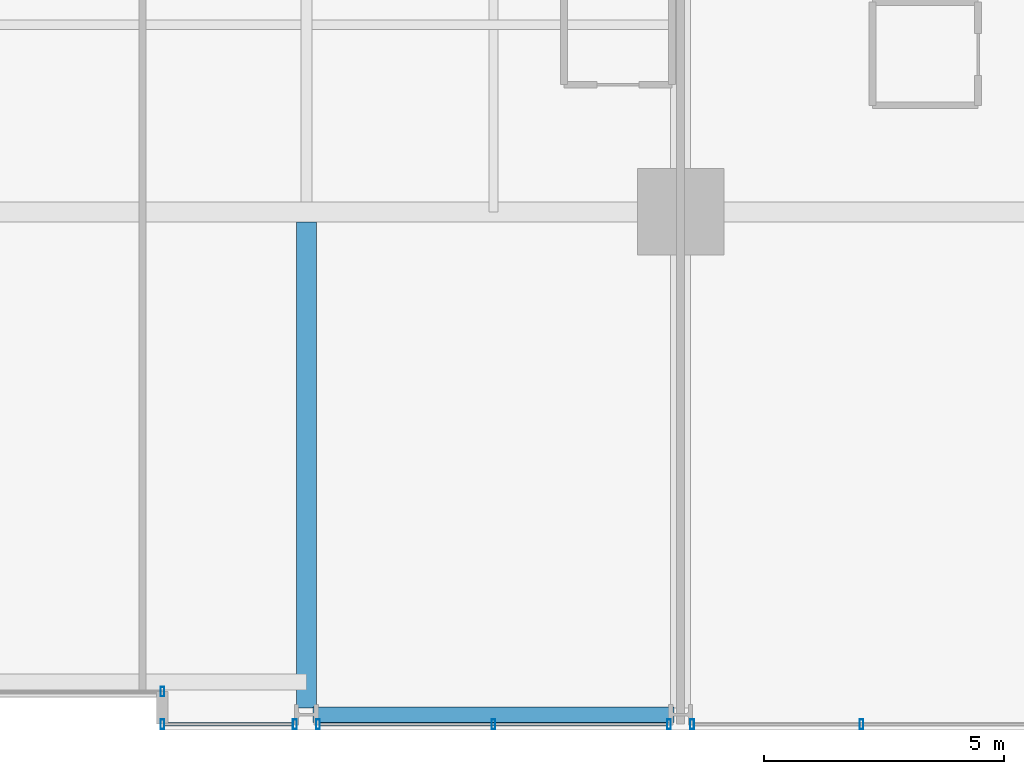
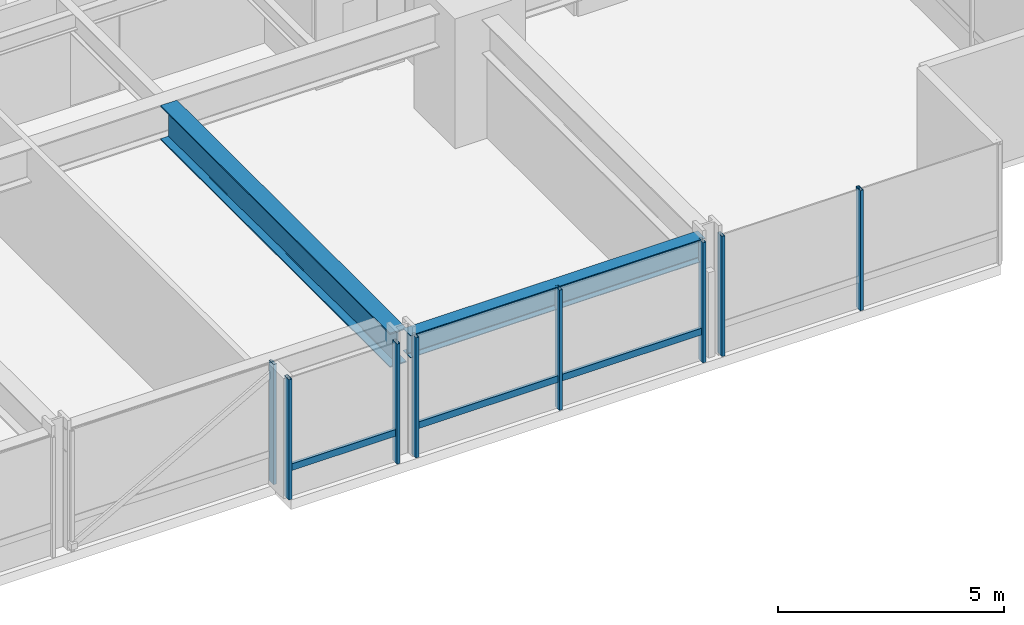
# One storey, part 11 of 38: 10 members, 2 beams, 4 elements without a shape of their own.
"""IFC4 building model written with IfcOpenShell, lengths in metres."""

from ifc_helpers import new_model, si_unit, direction, frame, origin, origin_2d, place, context, subcontext, project, spatial, hollow_rectangle, i_section, extrude, material, layer, layer_set, material_profile, profile_set, type_object, element, aggregate, save


model = new_model("IFC4")

# Units and contexts
model_context = context("Model", 3, precision=1e-05, world=origin(), true_north=direction((0.0, 1.0)))
body_context = subcontext(model_context, "Body", "Model", "MODEL_VIEW")
ifc_project = project(units=[si_unit("LENGTHUNIT", "METRE"), si_unit("AREAUNIT", "SQUARE_METRE"), si_unit("VOLUMEUNIT", "CUBIC_METRE"), si_unit("PLANEANGLEUNIT", "RADIAN"), si_unit("MASSUNIT", "GRAM", prefix="KILO")], contexts=[model_context])

# Site, building, storey
site_placement = place(None, origin())
site = spatial("IfcSite", under=ifc_project, at=site_placement, CompositionType="ELEMENT")
building_placement = place(site_placement, origin())
building = spatial("IfcBuilding", under=site, at=building_placement, Name="Drelvath Grand Hotel", CompositionType="ELEMENT")
storey_placement = place(building_placement, frame((0.0, 0.0, 50.699951171875)))
storey = spatial("IfcBuildingStorey", under=building, at=storey_placement, Name="L11", CompositionType="ELEMENT", Elevation=50.699951171875)

# Curtain wall, member
ifc_material_1 = material(Name="Warm Bronze Anodised Aluminium Frame", Category="aluminium")
ifc_layer = layer(ifc_material_1, 0.199951171875)
ifc_layer_set = layer_set([ifc_layer], Name="Warm Bronze Anodised Aluminium Frame")
curtain_wall_type = type_object("IfcCurtainWallType", Name="Stick Curtain Wall CW-02 Warm Bronze Low-Rise", PredefinedType="NOTDEFINED", material=ifc_layer_set)
curtain_wall_1_placement = place(storey_placement, origin())
curtain_wall_1 = element("IfcCurtainWall", 1, at=curtain_wall_1_placement, inside=storey, type_object=curtain_wall_type, Name="L11 CW-02 Curtain Wall CW02-L11-SE1", PredefinedType="NOTDEFINED")
ifc_material_profile_1 = material_profile(ifc_material_1, hollow_rectangle(XDim=0.074951171875, YDim=0.179931640625, WallThickness=0.0048828125, at=origin_2d()), Name="HSS180X75X5")
ifc_profile_set_1 = profile_set([ifc_material_profile_1], Name="Warm Bronze Anodised Aluminium Frame")
member_type_1 = type_object("IfcMemberType", Name="Curtain Wall Horizontal Transom CW-02 HSS180X75X5", PredefinedType="USERDEFINED", material=ifc_profile_set_1)
member_1_placement = place(storey_placement, frame((8.119140625, 0.1201171875, 0.81005859375), z_axis=(-1.0, 0.0, 0.0), x_axis=(0.0, -1.0, 0.0)))
member_1 = element("IfcMember", 2, at=member_1_placement, type_object=member_type_1, Name="CW02-L11-SE1 Sill Transom", ObjectType="TRANSOM", PredefinedType="USERDEFINED", context=body_context, shape_type="SweptSolid", body=[
    extrude(hollow_rectangle(XDim=0.074951171875, YDim=0.179931640625, WallThickness=0.0048828125, at=origin_2d()), origin(), (0.0, 0.0, 1.0), 2.67919921875),
])

curtain_wall_2_placement = place(storey_placement, origin())
curtain_wall_2 = element("IfcCurtainWall", 3, at=curtain_wall_2_placement, inside=storey, type_object=curtain_wall_type, Name="L11 CW-02 Curtain Wall CW02-L11-SE2", PredefinedType="NOTDEFINED")
member_2_placement = place(storey_placement, frame((15.919189453125, 0.1201171875, 0.81005859375), z_axis=(-1.0, 0.0, 0.0), x_axis=(0.0, -1.0, 0.0)))
member_2 = element("IfcMember", 4, at=member_2_placement, type_object=member_type_1, Name="CW02-L11-SE2 Sill Transom", ObjectType="TRANSOM", PredefinedType="USERDEFINED", context=body_context, shape_type="SweptSolid", body=[
    extrude(hollow_rectangle(XDim=0.074951171875, YDim=0.179931640625, WallThickness=0.0048828125, at=origin_2d()), origin(), (0.0, 0.0, 1.0), 7.23828125),
])

# Member
ifc_material_profile_2 = material_profile(ifc_material_1, hollow_rectangle(XDim=0.080078125, YDim=0.199951171875, WallThickness=0.0048828125, at=origin_2d()), Name="HSS200X80X5")
ifc_profile_set_2 = profile_set([ifc_material_profile_2], Name="Warm Bronze Anodised Aluminium Frame")
member_type_2 = type_object("IfcMemberType", Name="Curtain Wall Vertical Mullion CW-02 HSS200X80X5", PredefinedType="MULLION", material=ifc_profile_set_2)
member_3_placement = place(storey_placement, frame((8.1591796875, 0.1201171875, 0.0), z_axis=(0.0, 0.0, 1.0), x_axis=(1.0, 0.0, 0.0)))
member_3 = element("IfcMember", 5, at=member_3_placement, type_object=member_type_2, Name="CW02-L11-SE1 Mullion 1", PredefinedType="MULLION", context=body_context, shape_type="SweptSolid", body=[
    extrude(hollow_rectangle(XDim=0.080078125, YDim=0.199951171875, WallThickness=0.0048828125, at=origin_2d()), origin(), (0.0, 0.0, 1.0), 3.239990234375),
])

member_4_placement = place(storey_placement, frame((5.39990234375, 0.1201171875, 0.0), z_axis=(0.0, 0.0, 1.0), x_axis=(1.0, 0.0, 0.0)))
member_4 = element("IfcMember", 6, at=member_4_placement, type_object=member_type_2, Name="CW02-L11-SE1 Mullion 2", PredefinedType="MULLION", context=body_context, shape_type="SweptSolid", body=[
    extrude(hollow_rectangle(XDim=0.080078125, YDim=0.199951171875, WallThickness=0.0048828125, at=origin_2d()), origin(), (0.0, 0.0, 1.0), 3.239990234375),
])

aggregate(curtain_wall_1, [member_3, member_4, member_1])

member_5_placement = place(storey_placement, frame((15.958984375, 0.1201171875, 0.0), z_axis=(0.0, 0.0, 1.0), x_axis=(1.0, 0.0, 0.0)))
member_5 = element("IfcMember", 7, at=member_5_placement, type_object=member_type_2, Name="CW02-L11-SE2 Mullion 1", PredefinedType="MULLION", context=body_context, shape_type="SweptSolid", body=[
    extrude(hollow_rectangle(XDim=0.080078125, YDim=0.199951171875, WallThickness=0.0048828125, at=origin_2d()), origin(), (0.0, 0.0, 1.0), 3.239990234375),
])

member_6_placement = place(storey_placement, frame((12.300048828125, 0.1201171875, 0.0), z_axis=(0.0, 0.0, 1.0), x_axis=(1.0, 0.0, 0.0)))
member_6 = element("IfcMember", 8, at=member_6_placement, type_object=member_type_2, Name="CW02-L11-SE2 Mullion 2", PredefinedType="MULLION", context=body_context, shape_type="SweptSolid", body=[
    extrude(hollow_rectangle(XDim=0.080078125, YDim=0.199951171875, WallThickness=0.0048828125, at=origin_2d()), origin(), (0.0, 0.0, 1.0), 3.239990234375),
])

member_7_placement = place(storey_placement, frame((8.640869140625, 0.1201171875, 0.0), z_axis=(0.0, 0.0, 1.0), x_axis=(1.0, 0.0, 0.0)))
member_7 = element("IfcMember", 9, at=member_7_placement, type_object=member_type_2, Name="CW02-L11-SE2 Mullion 3", PredefinedType="MULLION", context=body_context, shape_type="SweptSolid", body=[
    extrude(hollow_rectangle(XDim=0.080078125, YDim=0.199951171875, WallThickness=0.0048828125, at=origin_2d()), origin(), (0.0, 0.0, 1.0), 3.239990234375),
])

aggregate(curtain_wall_2, [member_5, member_6, member_7, member_2])

# Curtain wall, members
curtain_wall_3_placement = place(storey_placement, origin())
curtain_wall_3 = element("IfcCurtainWall", 10, at=curtain_wall_3_placement, inside=storey, type_object=curtain_wall_type, Name="L11 CW-02 Curtain Wall CW02-L11-SE3", PredefinedType="NOTDEFINED")
member_8_placement = place(storey_placement, frame((19.970458984375, 0.1201171875, 0.0), z_axis=(0.0, 0.0, 1.0), x_axis=(1.0, 0.0, 0.0)))
member_8 = element("IfcMember", 11, at=member_8_placement, type_object=member_type_2, Name="CW02-L11-SE3 Mullion 2", PredefinedType="MULLION", context=body_context, shape_type="SweptSolid", body=[
    extrude(hollow_rectangle(XDim=0.080078125, YDim=0.199951171875, WallThickness=0.0048828125, at=origin_2d()), origin(), (0.0, 0.0, 1.0), 3.239990234375),
])
member_9_placement = place(storey_placement, frame((16.44091796875, 0.1201171875, 0.0), z_axis=(0.0, 0.0, 1.0), x_axis=(1.0, 0.0, 0.0)))
member_9 = element("IfcMember", 12, at=member_9_placement, type_object=member_type_2, Name="CW02-L11-SE3 Mullion 3", PredefinedType="MULLION", context=body_context, shape_type="SweptSolid", body=[
    extrude(hollow_rectangle(XDim=0.080078125, YDim=0.199951171875, WallThickness=0.0048828125, at=origin_2d()), origin(), (0.0, 0.0, 1.0), 3.239990234375),
])
aggregate(curtain_wall_3, [member_8, member_9])

# Curtain wall, member
curtain_wall_4_placement = place(storey_placement, origin())
curtain_wall_4 = element("IfcCurtainWall", 13, at=curtain_wall_4_placement, inside=storey, type_object=curtain_wall_type, Name="L11 CW-02 Curtain Wall CW02-L11-SM2", PredefinedType="NOTDEFINED")
member_10_placement = place(storey_placement, frame((5.39990234375, 0.800048828125, 0.0), z_axis=(0.0, 0.0, 1.0), x_axis=(1.0, 0.0, 0.0)))
member_10 = element("IfcMember", 14, at=member_10_placement, type_object=member_type_2, Name="CW02-L11-SM2 Mullion 1", PredefinedType="MULLION", context=body_context, shape_type="SweptSolid", body=[
    extrude(hollow_rectangle(XDim=0.080078125, YDim=0.199951171875, WallThickness=0.0048828125, at=origin_2d()), origin(), (0.0, 0.0, 1.0), 3.239990234375),
])
aggregate(curtain_wall_4, [member_10])

# Beams
ifc_material_2 = material(Name="Steel ASTM A992 Gr 50", Category="steel")
ifc_material_profile_3 = material_profile(ifc_material_2, i_section(OverallWidth=0.323974609375, OverallDepth=0.611083984375, WebThickness=0.0126953125, FlangeThickness=0.01904296875, FilletRadius=0.02197265625, at=origin_2d()), Name="W24X104")
ifc_profile_set_3 = profile_set([ifc_material_profile_3], Name="Steel ASTM A992 Gr 50")
beam_type_1 = type_object("IfcBeamType", Name="Perimeter Spandrel Beam W24X104", PredefinedType="SPANDREL", material=ifc_profile_set_3)
beam_1_placement = place(storey_placement, frame((8.5400390625, 0.320068359375, 2.9345703125), z_axis=(1.0, 0.0, 0.0), x_axis=(0.0, 1.0, 0.0)))
element("IfcBeam", 15, at=beam_1_placement, inside=storey, type_object=beam_type_1, Name="L11 Spandrel South E", PredefinedType="SPANDREL", context=body_context, shape_type="SweptSolid", body=[
    extrude(i_section(OverallWidth=0.323974609375, OverallDepth=0.611083984375, WebThickness=0.0126953125, FlangeThickness=0.01904296875, FilletRadius=0.02197265625, at=origin_2d()), origin(), (0.0, 0.0, 1.0), 7.52001953125),
])
ifc_material_profile_4 = material_profile(ifc_material_2, i_section(OverallWidth=0.418212890625, OverallDepth=0.926513671875, WebThickness=0.019287109375, FlangeThickness=0.031982421875, FilletRadius=0.028076171875, at=origin_2d()), Name="W36X231")
ifc_profile_set_4 = profile_set([ifc_material_profile_4], Name="Steel ASTM A992 Gr 50")
beam_type_2 = type_object("IfcBeamType", Name="Primary Floor Girder W36X231", PredefinedType="BEAM", material=ifc_profile_set_4)
beam_2_placement = place(storey_placement, frame((8.39990234375, 0.4599609375, 2.77685546875), z_axis=(0.0, 1.0, 0.0), x_axis=(-1.0, 0.0, 0.0)))
element("IfcBeam", 16, at=beam_2_placement, inside=storey, type_object=beam_type_2, Name="L11 South Wing Girder 6", PredefinedType="BEAM", context=body_context, shape_type="SweptSolid", body=[
    extrude(i_section(OverallWidth=0.418212890625, OverallDepth=0.926513671875, WebThickness=0.019287109375, FlangeThickness=0.031982421875, FilletRadius=0.028076171875, at=origin_2d()), origin(), (0.0, 0.0, 1.0), 10.130859375),
])

save(model, "model.ifc")
